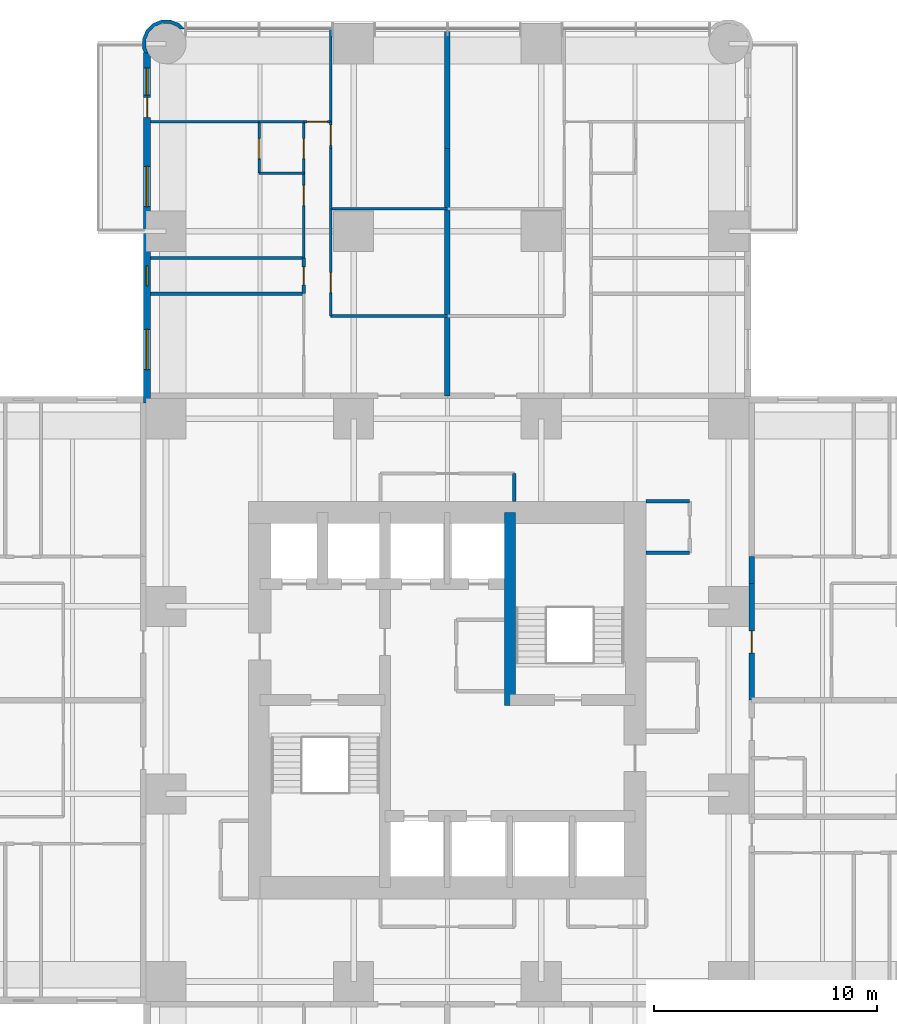
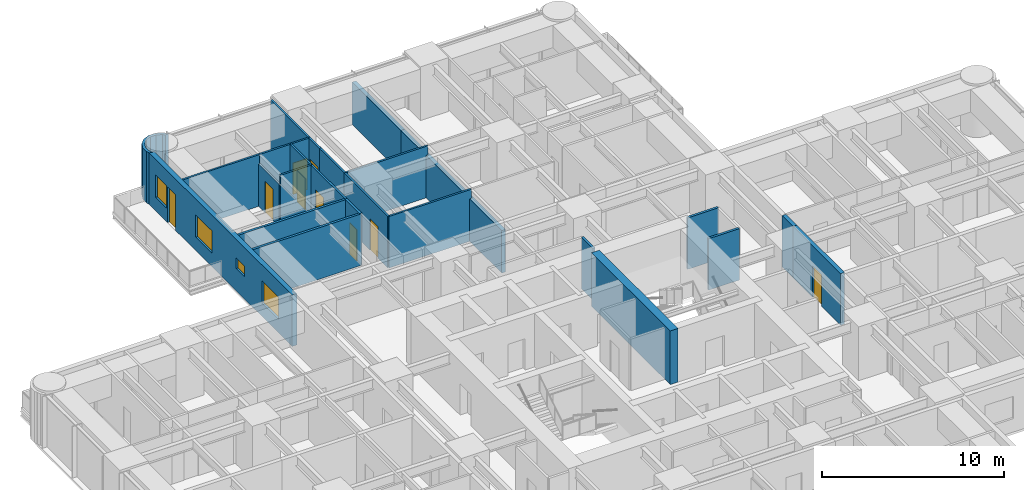
# One storey, part 13 of 17: 28 walls, 9 doors, 4 windows, 13 openings.
"""IFC4 building model written with IfcOpenShell, lengths in metres."""

from ifc_helpers import new_model, si_unit, direction, frame, frame_2d, origin, place, context, subcontext, project, spatial, polyline, rectangle, outline, extrude, material, layer, layer_set, type_object, element, fill, save


model = new_model("IFC4")

# Units and contexts
model_context = context("Model", 3, precision=1e-05, world=origin(), true_north=direction((0.0, 1.0)))
body_context = subcontext(model_context, "Body", "Model", "MODEL_VIEW")
ifc_project = project(units=[si_unit("LENGTHUNIT", "METRE"), si_unit("AREAUNIT", "SQUARE_METRE"), si_unit("VOLUMEUNIT", "CUBIC_METRE"), si_unit("PLANEANGLEUNIT", "RADIAN"), si_unit("MASSUNIT", "GRAM", prefix="KILO")], contexts=[model_context])

# Site, building, storey
site_placement = place(None, origin())
site = spatial("IfcSite", under=ifc_project, at=site_placement, CompositionType="ELEMENT")
building_placement = place(site_placement, origin())
building = spatial("IfcBuilding", under=site, at=building_placement, Name="Torre Alcanfor", CompositionType="ELEMENT")
storey_placement = place(building_placement, frame((0.0, 0.0, 56.10009765625)))
storey = spatial("IfcBuildingStorey", under=building, at=storey_placement, Name="L13", CompositionType="ELEMENT", Elevation=56.10009765625)

# Wall, opening, door
ifc_material_1 = material(Name="Concrete block masonry, hollow blocks NMX-C-404 9 MPa", Category="masonry")
ifc_layer_1 = layer(ifc_material_1, 0.25)
ifc_layer_set_1 = layer_set([ifc_layer_1], Name="Apartment entrance wall 250 EI 60")
wall_type_1 = type_object("IfcWallType", Name="Apartment entrance wall 250 EI 60", PredefinedType="PARTITIONING", material=ifc_layer_set_1)
wall_1_placement = place(storey_placement, frame((43.02490234375, 34.62890625, 0.0), z_axis=(0.0, 0.0, 1.0), x_axis=(0.0, -1.0, 0.0)))
wall_1 = element("IfcWall", 1, at=wall_1_placement, inside=storey, type_object=wall_type_1, Name="Partition L13-CORR / L13-E1-ZAG", PredefinedType="PARTITIONING", context=body_context, shape_type="SweptSolid", body=[
    extrude(rectangle(XDim=5.22900390625, YDim=0.25, at=frame_2d((2.614501953125, 0.0))), origin(), (0.0, 0.0, 1.0), 3.449951171875),
])
opening_1_placement = place(wall_1_placement, frame((2.12890625, 0.0, 0.0)))
opening_1 = element("IfcOpeningElement", 2, at=opening_1_placement, cuts=wall_1, Name="Opening D-A1", PredefinedType="OPENING", context=body_context, shape_type="SweptSolid", body=[
    extrude(rectangle(XDim=1.0, YDim=2.10009765625, at=frame_2d((0.5, 1.050048828125))), frame((0.0, 0.135009765625, 0.0), z_axis=(0.0, -1.0, 0.0), x_axis=(1.0, 0.0, 0.0)), (0.0, 0.0, 1.0), 0.27001953125),
])
ifc_material_2 = material(Name="Galvanised steel sheet ASTM A653", Category="steel")
door_type_1 = type_object("IfcDoorType", Name="Apartment entrance door FD60 1000x2100", OperationType="SINGLE_SWING_LEFT", PredefinedType="DOOR", material=ifc_material_2)
door_1_placement = place(opening_1_placement, origin())
door_1 = element("IfcDoor", 3, at=door_1_placement, inside=storey, type_object=door_type_1, Name="Apartment entrance L13-E1", OperationType="SINGLE_SWING_RIGHT", OverallHeight=2.10009765625, OverallWidth=1.0, PredefinedType="DOOR", context=body_context, shape_type="SweptSolid", body=[
    extrude(rectangle(XDim=1.0, YDim=2.10009765625, at=frame_2d((0.5, 1.050048828125))), frame((0.0, 0.02490234375, 0.0), z_axis=(0.0, -1.0, 0.0), x_axis=(1.0, 0.0, 0.0)), (0.0, 0.0, 1.0), 0.050048828125),
])
fill(opening_1, door_1)

# Walls
wall_2_placement = place(storey_placement, frame((43.02490234375, 35.8291015625, 0.0), z_axis=(0.0, 0.0, 1.0), x_axis=(0.0, -1.0, 0.0)))
element("IfcWall", 4, at=wall_2_placement, inside=storey, type_object=wall_type_1, Name="Partition L13-CORR / L13-E1-HALL", PredefinedType="PARTITIONING", context=body_context, shape_type="SweptSolid", body=[
    extrude(rectangle(XDim=1.2001953125, YDim=0.25, at=frame_2d((0.60009765625, 0.0))), origin(), (0.0, 0.0, 1.0), 3.449951171875),
])
ifc_material_3 = material(Name="Gypsum board on steel studs", Category="steel")
ifc_layer_2 = layer(ifc_material_3, 0.1201171875)
ifc_layer_set_2 = layer_set([ifc_layer_2], Name="Apartment partition 120")
wall_type_2 = type_object("IfcWallType", Name="Apartment partition 120", PredefinedType="PARTITIONING", material=ifc_layer_set_2)
for number, where, z_axis, x_axis, name in (
    (5, (29.39990234375, 46.60009765625, 0.0), (0.0, 0.0, 1.0), (-1.0, 0.0, 0.0), "Partition L13-N1-ZAG / L13-N1-FAMILY"),
    (6, (29.39990234375, 51.39990234375, 0.0), (0.0, 0.0, 1.0), (-1.0, 0.0, 0.0), "Partition L13-N1-FAMILY / L13-N1-KITCHEN"),
):
    element("IfcWall", number, at=place(storey_placement, frame(where, z_axis=z_axis, x_axis=x_axis)), inside=storey, type_object=wall_type_2, Name=name, PredefinedType="PARTITIONING", context=body_context, shape_type="SweptSolid", body=[
        extrude(rectangle(XDim=5.22900390625, YDim=0.1201171875, at=frame_2d((2.614501953125, 0.0))), origin(), (0.0, 0.0, 1.0), 3.449951171875),
    ])

# Wall, opening, door
wall_3_placement = place(storey_placement, frame((24.1708984375, 51.39990234375, 0.0), z_axis=(0.0, 0.0, 1.0), x_axis=(0.0, -1.0, 0.0)))
wall_3 = element("IfcWall", 7, at=wall_3_placement, inside=storey, type_object=wall_type_2, Name="Partition L13-N1-FAMILY / L13-N1-HALL", PredefinedType="PARTITIONING", context=body_context, shape_type="SweptSolid", body=[
    extrude(rectangle(XDim=4.7998046875, YDim=0.1201171875, at=frame_2d((2.39990234375, 0.0))), origin(), (0.0, 0.0, 1.0), 3.449951171875),
])
opening_2_placement = place(wall_3_placement, frame((2.85009765625, 0.0, 0.0)))
opening_2 = element("IfcOpeningElement", 8, at=opening_2_placement, cuts=wall_3, Name="Opening D-R1", PredefinedType="OPENING", context=body_context, shape_type="SweptSolid", body=[
    extrude(rectangle(XDim=0.89990234375, YDim=2.10009765625, at=frame_2d((0.449951171875, 1.050048828125))), frame((0.0, 0.070068359375, 0.0), z_axis=(0.0, -1.0, 0.0), x_axis=(1.0, 0.0, 0.0)), (0.0, 0.0, 1.0), 0.14013671875),
])
ifc_material_4 = material(Name="Timber", Category="wood")
door_type_2 = type_object("IfcDoorType", Name="Internal door 900x2100", OperationType="SINGLE_SWING_LEFT", PredefinedType="DOOR", material=ifc_material_4)
door_2_placement = place(opening_2_placement, origin())
door_2 = element("IfcDoor", 9, at=door_2_placement, inside=storey, type_object=door_type_2, Name="Door L13-N1 family", OperationType="SINGLE_SWING_RIGHT", OverallHeight=2.10009765625, OverallWidth=0.89990234375, PredefinedType="DOOR", context=body_context, shape_type="SweptSolid", body=[
    extrude(rectangle(XDim=0.89990234375, YDim=2.10009765625, at=frame_2d((0.449951171875, 1.050048828125))), frame((0.0, 0.02490234375, 0.0), z_axis=(0.0, -1.0, 0.0), x_axis=(1.0, 0.0, 0.0)), (0.0, 0.0, 1.0), 0.050048828125),
])
fill(opening_2, door_2)

# Wall
wall_4_placement = place(storey_placement, frame((24.1708984375, 54.10009765625, 0.0), z_axis=(0.0, 0.0, 1.0), x_axis=(0.0, -1.0, 0.0)))
element("IfcWall", 10, at=wall_4_placement, inside=storey, type_object=wall_type_2, Name="Partition L13-N1-KITCHEN / L13-N1-HALL", PredefinedType="PARTITIONING", context=body_context, shape_type="SweptSolid", body=[
    extrude(rectangle(XDim=2.7001953125, YDim=0.1201171875, at=frame_2d((1.35009765625, 0.0))), origin(), (0.0, 0.0, 1.0), 3.449951171875),
])

# Wall, opening, door
wall_5_placement = place(storey_placement, frame((24.1708984375, 55.300048828125, 0.0), z_axis=(0.0, 0.0, 1.0), x_axis=(0.0, -1.0, 0.0)))
wall_5 = element("IfcWall", 11, at=wall_5_placement, inside=storey, type_object=wall_type_2, Name="Partition L13-N1-LIVING / L13-N1-HALL", PredefinedType="PARTITIONING", context=body_context, shape_type="SweptSolid", body=[
    extrude(rectangle(XDim=1.199951171875, YDim=0.1201171875, at=frame_2d((0.60009765625, 0.0))), origin(), (0.0, 0.0, 1.0), 3.449951171875),
])
opening_3_placement = place(wall_5_placement, frame((0.14990234375, 0.0, 0.0)))
opening_3 = element("IfcOpeningElement", 12, at=opening_3_placement, cuts=wall_5, Name="Opening D-R1", PredefinedType="OPENING", context=body_context, shape_type="SweptSolid", body=[
    extrude(rectangle(XDim=0.89990234375, YDim=2.10009765625, at=frame_2d((0.449951171875, 1.050048828125))), frame((0.0, 0.070068359375, 0.0), z_axis=(0.0, -1.0, 0.0), x_axis=(1.0, 0.0, 0.0)), (0.0, 0.0, 1.0), 0.14013671875),
])
door_3_placement = place(opening_3_placement, origin())
door_3 = element("IfcDoor", 13, at=door_3_placement, inside=storey, type_object=door_type_2, Name="Door L13-N1 living", OperationType="SINGLE_SWING_RIGHT", OverallHeight=2.10009765625, OverallWidth=0.89990234375, PredefinedType="DOOR", context=body_context, shape_type="SweptSolid", body=[
    extrude(rectangle(XDim=0.89990234375, YDim=2.10009765625, at=frame_2d((0.449951171875, 1.050048828125))), frame((0.0, 0.02490234375, 0.0), z_axis=(0.0, -1.0, 0.0), x_axis=(1.0, 0.0, 0.0)), (0.0, 0.0, 1.0), 0.050048828125),
])
fill(opening_3, door_3)

# Wall
wall_6_placement = place(storey_placement, frame((24.1708984375, 59.449951171875, 0.0), z_axis=(0.0, 0.0, 1.0), x_axis=(0.0, -1.0, 0.0)))
element("IfcWall", 14, at=wall_6_placement, inside=storey, type_object=wall_type_2, Name="Partition L13-N1-LIVING / L13-N1-WGARD", PredefinedType="PARTITIONING", context=body_context, shape_type="SweptSolid", body=[
    extrude(rectangle(XDim=4.14990234375, YDim=0.1201171875, at=frame_2d((2.074951171875, 0.0))), origin(), (0.0, 0.0, 1.0), 3.449951171875),
])

# Wall, opening, door
wall_7_placement = place(storey_placement, frame((22.970947265625, 53.0, 0.0), z_axis=(0.0, 0.0, 1.0), x_axis=(0.0, -1.0, 0.0)))
wall_7 = element("IfcWall", 15, at=wall_7_placement, inside=storey, type_object=wall_type_2, Name="Partition L13-N1-HALL / L13-N1-MASTER", PredefinedType="PARTITIONING", context=body_context, shape_type="SweptSolid", body=[
    extrude(rectangle(XDim=3.800048828125, YDim=0.1201171875, at=frame_2d((1.89990234375, 0.0))), origin(), (0.0, 0.0, 1.0), 3.449951171875),
])
opening_4_placement = place(wall_7_placement, frame((0.550048828125, 0.0, 0.0)))
opening_4 = element("IfcOpeningElement", 16, at=opening_4_placement, cuts=wall_7, Name="Opening D-R1", PredefinedType="OPENING", context=body_context, shape_type="SweptSolid", body=[
    extrude(rectangle(XDim=0.89990234375, YDim=2.10009765625, at=frame_2d((0.449951171875, 1.050048828125))), frame((0.0, 0.070068359375, 0.0), z_axis=(0.0, -1.0, 0.0), x_axis=(1.0, 0.0, 0.0)), (0.0, 0.0, 1.0), 0.14013671875),
])
door_4_placement = place(opening_4_placement, frame((0.89990234375, 0.0, 0.0), z_axis=(0.0, 0.0, 1.0), x_axis=(-1.0, 0.0, 0.0)))
door_4 = element("IfcDoor", 17, at=door_4_placement, inside=storey, type_object=door_type_2, Name="Door L13-N1 master", OperationType="SINGLE_SWING_RIGHT", OverallHeight=2.10009765625, OverallWidth=0.89990234375, PredefinedType="DOOR", context=body_context, shape_type="SweptSolid", body=[
    extrude(rectangle(XDim=0.89990234375, YDim=2.10009765625, at=frame_2d((0.449951171875, 1.050048828125))), frame((0.0, 0.025146484375, 0.0), z_axis=(0.0, -1.0, 0.0), x_axis=(1.0, 0.0, 0.0)), (0.0, 0.0, 1.0), 0.050048828125),
])
fill(opening_4, door_4)

wall_8_placement = place(storey_placement, frame((22.970947265625, 55.300048828125, 0.0), z_axis=(0.0, 0.0, 1.0), x_axis=(0.0, -1.0, 0.0)))
wall_8 = element("IfcWall", 18, at=wall_8_placement, inside=storey, type_object=wall_type_2, Name="Partition L13-N1-HALL / L13-N1-VEST", PredefinedType="PARTITIONING", context=body_context, shape_type="SweptSolid", body=[
    extrude(rectangle(XDim=2.300048828125, YDim=0.1201171875, at=frame_2d((1.14990234375, 0.0))), origin(), (0.0, 0.0, 1.0), 3.449951171875),
])
opening_5_placement = place(wall_8_placement, frame((0.75, 0.0, 0.0)))
opening_5 = element("IfcOpeningElement", 19, at=opening_5_placement, cuts=wall_8, Name="Opening D-R1", PredefinedType="OPENING", context=body_context, shape_type="SweptSolid", body=[
    extrude(rectangle(XDim=0.89990234375, YDim=2.10009765625, at=frame_2d((0.449951171875, 1.050048828125))), frame((0.0, 0.070068359375, 0.0), z_axis=(0.0, -1.0, 0.0), x_axis=(1.0, 0.0, 0.0)), (0.0, 0.0, 1.0), 0.14013671875),
])
door_5_placement = place(opening_5_placement, frame((0.89990234375, 0.0, 0.0), z_axis=(0.0, 0.0, 1.0), x_axis=(-1.0, 0.0, 0.0)))
door_5 = element("IfcDoor", 20, at=door_5_placement, inside=storey, type_object=door_type_2, Name="Door L13-N1 vest", OperationType="SINGLE_SWING_LEFT", OverallHeight=2.10009765625, OverallWidth=0.89990234375, PredefinedType="DOOR", context=body_context, shape_type="SweptSolid", body=[
    extrude(rectangle(XDim=0.89990234375, YDim=2.10009765625, at=frame_2d((0.449951171875, 1.050048828125))), frame((0.0, 0.025146484375, 0.0), z_axis=(0.0, -1.0, 0.0), x_axis=(1.0, 0.0, 0.0)), (0.0, 0.0, 1.0), 0.050048828125),
])
fill(opening_5, door_5)

wall_9_placement = place(storey_placement, frame((24.1708984375, 55.300048828125, 0.0), z_axis=(0.0, 0.0, 1.0), x_axis=(-1.0, 0.0, 0.0)))
wall_9 = element("IfcWall", 21, at=wall_9_placement, inside=storey, type_object=wall_type_2, Name="Partition L13-N1-HALL / L13-N1-WGARD", PredefinedType="PARTITIONING", context=body_context, shape_type="SweptSolid", body=[
    extrude(rectangle(XDim=1.199951171875, YDim=0.1201171875, at=frame_2d((0.60009765625, 0.0))), origin(), (0.0, 0.0, 1.0), 3.449951171875),
])
opening_6_placement = place(wall_9_placement, frame((0.15087890625, 0.0, 0.0)))
opening_6 = element("IfcOpeningElement", 22, at=opening_6_placement, cuts=wall_9, Name="Opening D-R1", PredefinedType="OPENING", context=body_context, shape_type="SweptSolid", body=[
    extrude(rectangle(XDim=0.89990234375, YDim=2.10009765625, at=frame_2d((0.449951171875, 1.050048828125))), frame((0.0, 0.070068359375, 0.0), z_axis=(0.0, -1.0, 0.0), x_axis=(1.0, 0.0, 0.0)), (0.0, 0.0, 1.0), 0.14013671875),
])
door_6_placement = place(opening_6_placement, frame((0.89990234375, 0.0, 0.0), z_axis=(0.0, 0.0, 1.0), x_axis=(-1.0, 0.0, 0.0)))
door_6 = element("IfcDoor", 23, at=door_6_placement, inside=storey, type_object=door_type_2, Name="Door L13-N1 wgard", OperationType="SINGLE_SWING_RIGHT", OverallHeight=2.10009765625, OverallWidth=0.89990234375, PredefinedType="DOOR", context=body_context, shape_type="SweptSolid", body=[
    extrude(rectangle(XDim=0.89990234375, YDim=2.10009765625, at=frame_2d((0.449951171875, 1.050048828125))), frame((0.0, 0.025146484375, 0.0), z_axis=(0.0, -1.0, 0.0), x_axis=(1.0, 0.0, 0.0)), (0.0, 0.0, 1.0), 0.050048828125),
])
fill(opening_6, door_6)

wall_10_placement = place(storey_placement, frame((20.970947265625, 55.300048828125, 0.0), z_axis=(0.0, 0.0, 1.0), x_axis=(0.0, -1.0, 0.0)))
wall_10 = element("IfcWall", 24, at=wall_10_placement, inside=storey, type_object=wall_type_2, Name="Partition L13-N1-MASTER / L13-N1-VEST", PredefinedType="PARTITIONING", context=body_context, shape_type="SweptSolid", body=[
    extrude(rectangle(XDim=2.300048828125, YDim=0.1201171875, at=frame_2d((1.14990234375, 0.0))), origin(), (0.0, 0.0, 1.0), 2.847900390625),
])
opening_7_placement = place(wall_10_placement, frame((0.75, 0.0, 0.0)))
opening_7 = element("IfcOpeningElement", 25, at=opening_7_placement, cuts=wall_10, Name="Opening D-R1", PredefinedType="OPENING", context=body_context, shape_type="SweptSolid", body=[
    extrude(rectangle(XDim=0.89990234375, YDim=2.10009765625, at=frame_2d((0.449951171875, 1.050048828125))), frame((0.0, 0.070068359375, 0.0), z_axis=(0.0, -1.0, 0.0), x_axis=(1.0, 0.0, 0.0)), (0.0, 0.0, 1.0), 0.14013671875),
])
door_7_placement = place(opening_7_placement, origin())
door_7 = element("IfcDoor", 26, at=door_7_placement, inside=storey, type_object=door_type_2, Name="Door L13-N1 master", OperationType="SINGLE_SWING_RIGHT", OverallHeight=2.10009765625, OverallWidth=0.89990234375, PredefinedType="DOOR", context=body_context, shape_type="SweptSolid", body=[
    extrude(rectangle(XDim=0.89990234375, YDim=2.10009765625, at=frame_2d((0.449951171875, 1.050048828125))), frame((0.0, 0.02490234375, 0.0), z_axis=(0.0, -1.0, 0.0), x_axis=(1.0, 0.0, 0.0)), (0.0, 0.0, 1.0), 0.050048828125),
])
fill(opening_7, door_7)

# Walls
wall_11_placement = place(storey_placement, frame((20.970947265625, 53.0, 0.0), z_axis=(0.0, 0.0, 1.0), x_axis=(1.0, 0.0, 0.0)))
element("IfcWall", 27, at=wall_11_placement, inside=storey, type_object=wall_type_2, Name="Partition L13-N1-MASTER / L13-N1-VEST", PredefinedType="PARTITIONING", context=body_context, shape_type="SweptSolid", body=[
    extrude(rectangle(XDim=2.0, YDim=0.1201171875, at=frame_2d((1.0, 0.0))), origin(), (0.0, 0.0, 1.0), 3.449951171875),
])
wall_12_placement = place(storey_placement, frame((16.10009765625, 55.300048828125, 0.0), z_axis=(0.0, 0.0, 1.0), x_axis=(1.0, 0.0, 0.0)))
element("IfcWall", 28, at=wall_12_placement, inside=storey, type_object=wall_type_2, Name="Partition L13-N1-MASTER / L13-N1-WGARD", PredefinedType="PARTITIONING", context=body_context, shape_type="SweptSolid", body=[
    extrude(rectangle(XDim=4.870849609375, YDim=0.1201171875, at=frame_2d((2.435546875, 0.0))), origin(), (0.0, 0.0, 1.0), 3.449951171875),
])
wall_13_placement = place(storey_placement, frame((22.970947265625, 55.300048828125, 0.0), z_axis=(0.0, 0.0, 1.0), x_axis=(-1.0, 0.0, 0.0)))
element("IfcWall", 29, at=wall_13_placement, inside=storey, type_object=wall_type_2, Name="Partition L13-N1-VEST / L13-N1-WGARD", PredefinedType="PARTITIONING", context=body_context, shape_type="SweptSolid", body=[
    extrude(rectangle(XDim=2.0, YDim=0.1201171875, at=frame_2d((1.0, 0.0))), origin(), (0.0, 0.0, 1.0), 3.449951171875),
])
ifc_material_5 = material(Name="Concrete f'c 70 MPa", Category="concrete")
ifc_layer_3 = layer(ifc_material_5, 0.5)
ifc_layer_set_3 = layer_set([ifc_layer_3], Name="Core inner wall 500 f'c70")
wall_type_3 = type_object("IfcWallType", Name="Core inner wall 500 f'c70", PredefinedType="SHEAR", material=ifc_layer_set_3)
wall_14_placement = place(storey_placement, frame((32.199951171875, 29.14990234375, 0.0), z_axis=(0.0, 0.0, 1.0), x_axis=(0.0, 1.0, 0.0)))
element("IfcWall", 30, at=wall_14_placement, inside=storey, type_object=wall_type_3, Name="Core wall X322N L13", PredefinedType="SHEAR", context=body_context, shape_type="SweptSolid", body=[
    extrude(rectangle(XDim=8.650146484375, YDim=0.5, at=frame_2d((4.3251953125, 0.0))), origin(), (0.0, 0.0, 1.0), 3.599853515625),
])

# Wall, openings, door, windows
ifc_material_6 = material(Name="Limestone cladding", Category="masonry")
ifc_layer_4 = layer(ifc_material_6, 0.0400390625, Name="Facing")
ifc_material_7 = material(Name="Ventilated air cavity")
ifc_layer_5 = layer(ifc_material_7, 0.02001953125, ventilated=True, Name="Ventilated joint")
ifc_material_8 = material(Name="Mineral wool insulation", Category="insulation")
ifc_layer_6 = layer(ifc_material_8, 0.10009765625, Name="Insulation")
ifc_material_9 = material(Name="Concrete f'c 35 MPa", Category="concrete")
ifc_layer_7 = layer(ifc_material_9, 0.139892578125, Name="Backing")
ifc_layer_set_4 = layer_set([ifc_layer_4, ifc_layer_5, ifc_layer_6, ifc_layer_7], Name="External wall stone-clad 300")
wall_type_4 = type_object("IfcWallType", Name="External wall stone-clad 300", PredefinedType="SOLIDWALL", material=ifc_layer_set_4)
wall_15_placement = place(storey_placement, frame((15.949951171875, 58.39990234375, 0.0), z_axis=(0.0, 0.0, 1.0), x_axis=(0.0, -1.0, 0.0)))
wall_15 = element("IfcWall", 31, at=wall_15_placement, inside=storey, type_object=wall_type_4, Name="External wall L13 12", PredefinedType="SOLIDWALL", context=body_context, shape_type="SweptSolid", body=[
    extrude(rectangle(XDim=15.699951171875, YDim=0.300048828125, at=frame_2d((7.85009765625, 0.0))), origin(), (0.0, 0.0, 1.0), 3.449951171875),
])
opening_8_placement = place(wall_15_placement, frame((12.39990234375, 0.0, 0.89990234375)))
opening_8 = element("IfcOpeningElement", 32, at=opening_8_placement, cuts=wall_15, Name="Opening W2", PredefinedType="OPENING", context=body_context, shape_type="SweptSolid", body=[
    extrude(rectangle(XDim=1.800048828125, YDim=1.5, at=frame_2d((0.89990234375, 0.75))), frame((0.0, 0.159912109375, 0.0), z_axis=(0.0, -1.0, 0.0), x_axis=(1.0, 0.0, 0.0)), (0.0, 0.0, 1.0), 0.320068359375),
])
opening_9_placement = place(wall_15_placement, frame((9.550048828125, 0.0, 1.5)))
opening_9 = element("IfcOpeningElement", 33, at=opening_9_placement, cuts=wall_15, Name="Opening W3", PredefinedType="OPENING", context=body_context, shape_type="SweptSolid", body=[
    extrude(rectangle(XDim=0.89990234375, YDim=0.699951171875, at=frame_2d((0.449951171875, 0.35009765625))), frame((0.0, 0.159912109375, 0.0), z_axis=(0.0, -1.0, 0.0), x_axis=(1.0, 0.0, 0.0)), (0.0, 0.0, 1.0), 0.320068359375),
])
opening_10_placement = place(wall_15_placement, frame((5.10009765625, 0.0, 0.89990234375)))
opening_10 = element("IfcOpeningElement", 34, at=opening_10_placement, cuts=wall_15, Name="Opening W2", PredefinedType="OPENING", context=body_context, shape_type="SweptSolid", body=[
    extrude(rectangle(XDim=1.800048828125, YDim=1.5, at=frame_2d((0.89990234375, 0.75))), frame((0.0, 0.159912109375, 0.0), z_axis=(0.0, -1.0, 0.0), x_axis=(1.0, 0.0, 0.0)), (0.0, 0.0, 1.0), 0.320068359375),
])
opening_11_placement = place(wall_15_placement, frame((2.0, 0.0, 0.0)))
opening_11 = element("IfcOpeningElement", 35, at=opening_11_placement, cuts=wall_15, Name="Opening D-B1", PredefinedType="OPENING", context=body_context, shape_type="SweptSolid", body=[
    extrude(rectangle(XDim=0.89990234375, YDim=2.39990234375, at=frame_2d((0.449951171875, 1.199951171875))), frame((0.0, 0.159912109375, 0.0), z_axis=(0.0, -1.0, 0.0), x_axis=(1.0, 0.0, 0.0)), (0.0, 0.0, 1.0), 0.320068359375),
])
opening_12_placement = place(wall_15_placement, frame((0.699951171875, 0.0, 0.89990234375)))
opening_12 = element("IfcOpeningElement", 36, at=opening_12_placement, cuts=wall_15, Name="Opening W4", PredefinedType="OPENING", context=body_context, shape_type="SweptSolid", body=[
    extrude(rectangle(XDim=1.199951171875, YDim=1.5, at=frame_2d((0.60009765625, 0.75))), frame((0.0, 0.159912109375, 0.0), z_axis=(0.0, -1.0, 0.0), x_axis=(1.0, 0.0, 0.0)), (0.0, 0.0, 1.0), 0.320068359375),
])
ifc_material_10 = material(Name="Aluminium and glass", Category="aluminium")
door_type_3 = type_object("IfcDoorType", Name="Balcony door glazed 900x2400", OperationType="SINGLE_SWING_LEFT", PredefinedType="DOOR", material=ifc_material_10)
door_8_placement = place(opening_11_placement, origin())
door_8 = element("IfcDoor", 37, at=door_8_placement, inside=storey, type_object=door_type_3, Name="Balcony door L13-N1", OperationType="SINGLE_SWING_RIGHT", OverallHeight=2.39990234375, OverallWidth=0.89990234375, PredefinedType="DOOR", context=body_context, shape_type="SweptSolid", body=[
    extrude(rectangle(XDim=0.89990234375, YDim=2.39990234375, at=frame_2d((0.449951171875, 1.199951171875))), frame((0.0, 0.02490234375, 0.0), z_axis=(0.0, -1.0, 0.0), x_axis=(1.0, 0.0, 0.0)), (0.0, 0.0, 1.0), 0.050048828125),
])
fill(opening_11, door_8)
ifc_material_11 = material(Name="Aluminium frame with clear double glazing", Category="aluminium")
window_type_1 = type_object("IfcWindowType", Name="Window bathroom 900x700", PartitioningType="SINGLE_PANEL", PredefinedType="WINDOW", material=ifc_material_11)
window_1_placement = place(opening_9_placement, origin())
window_1 = element("IfcWindow", 38, at=window_1_placement, inside=storey, type_object=window_type_1, Name="Window W3 L13-N1", OverallHeight=0.699951171875, OverallWidth=0.89990234375, PartitioningType="SINGLE_PANEL", PredefinedType="WINDOW", context=body_context, shape_type="SweptSolid", body=[
    extrude(rectangle(XDim=0.89990234375, YDim=0.699951171875, at=frame_2d((0.449951171875, 0.35009765625))), frame((0.0, 0.030029296875, 0.0), z_axis=(0.0, -1.0, 0.0), x_axis=(1.0, 0.0, 0.0)), (0.0, 0.0, 1.0), 0.06005859375),
])
fill(opening_9, window_1)
ifc_material_12 = material(Name="Aluminium frame with clear double glazing", Category="aluminium")
window_type_2 = type_object("IfcWindowType", Name="Window bedroom 1200x1500", PartitioningType="SINGLE_PANEL", PredefinedType="WINDOW", material=ifc_material_12)
window_2_placement = place(opening_12_placement, origin())
window_2 = element("IfcWindow", 39, at=window_2_placement, inside=storey, type_object=window_type_2, Name="Window W4 L13-N1", OverallHeight=1.5, OverallWidth=1.199951171875, PartitioningType="SINGLE_PANEL", PredefinedType="WINDOW", context=body_context, shape_type="SweptSolid", body=[
    extrude(rectangle(XDim=1.199951171875, YDim=1.5, at=frame_2d((0.60009765625, 0.75))), frame((0.0, 0.030029296875, 0.0), z_axis=(0.0, -1.0, 0.0), x_axis=(1.0, 0.0, 0.0)), (0.0, 0.0, 1.0), 0.06005859375),
])
fill(opening_12, window_2)
ifc_material_13 = material(Name="Aluminium frame with clear double glazing", Category="aluminium")
window_type_3 = type_object("IfcWindowType", Name="Window bedroom 1800x1500", PartitioningType="SINGLE_PANEL", PredefinedType="WINDOW", material=ifc_material_13)
window_3_placement = place(opening_8_placement, origin())
window_3 = element("IfcWindow", 40, at=window_3_placement, inside=storey, type_object=window_type_3, Name="Window W2 L13-N1", OverallHeight=1.5, OverallWidth=1.800048828125, PartitioningType="SINGLE_PANEL", PredefinedType="WINDOW", context=body_context, shape_type="SweptSolid", body=[
    extrude(rectangle(XDim=1.800048828125, YDim=1.5, at=frame_2d((0.89990234375, 0.75))), frame((0.0, 0.030029296875, 0.0), z_axis=(0.0, -1.0, 0.0), x_axis=(1.0, 0.0, 0.0)), (0.0, 0.0, 1.0), 0.06005859375),
])
fill(opening_8, window_3)
window_4_placement = place(opening_10_placement, origin())
window_4 = element("IfcWindow", 41, at=window_4_placement, inside=storey, type_object=window_type_3, Name="Window W2 L13-N1", OverallHeight=1.5, OverallWidth=1.800048828125, PartitioningType="SINGLE_PANEL", PredefinedType="WINDOW", context=body_context, shape_type="SweptSolid", body=[
    extrude(rectangle(XDim=1.800048828125, YDim=1.5, at=frame_2d((0.89990234375, 0.75))), frame((0.0, 0.030029296875, 0.0), z_axis=(0.0, -1.0, 0.0), x_axis=(1.0, 0.0, 0.0)), (0.0, 0.0, 1.0), 0.06005859375),
])
fill(opening_10, window_4)

# Walls
ifc_material_14 = material(Name="Concrete block masonry, hollow blocks NMX-C-404 9 MPa", Category="masonry")
ifc_layer_8 = layer(ifc_material_14, 0.25)
ifc_layer_set_5 = layer_set([ifc_layer_8], Name="Party wall 250 EI 60")
wall_type_5 = type_object("IfcWallType", Name="Party wall 250 EI 60", PredefinedType="PARTITIONING", material=ifc_layer_set_5)
wall_16_placement = place(storey_placement, frame((29.39990234375, 43.02490234375, 0.0), z_axis=(0.0, 0.0, 1.0), x_axis=(0.0, 1.0, 0.0)))
element("IfcWall", 42, at=wall_16_placement, inside=storey, type_object=wall_type_5, Name="Partition L13-N1-ZAG / L13-N2-ZAG", PredefinedType="PARTITIONING", context=body_context, shape_type="SweptSolid", body=[
    extrude(rectangle(XDim=3.5751953125, YDim=0.25, at=frame_2d((1.78759765625, 0.0))), origin(), (0.0, 0.0, 1.0), 2.847900390625),
])
wall_17_placement = place(storey_placement, frame((29.39990234375, 46.60009765625, 0.0), z_axis=(0.0, 0.0, 1.0), x_axis=(0.0, 1.0, 0.0)))
element("IfcWall", 43, at=wall_17_placement, inside=storey, type_object=wall_type_5, Name="Partition L13-N1-FAMILY / L13-N2-FAMILY", PredefinedType="PARTITIONING", context=body_context, shape_type="SweptSolid", body=[
    extrude(rectangle(XDim=4.7998046875, YDim=0.25, at=frame_2d((2.39990234375, 0.0))), origin(), (0.0, 0.0, 1.0), 2.847900390625),
])
wall_18_placement = place(storey_placement, frame((29.39990234375, 51.39990234375, 0.0), z_axis=(0.0, 0.0, 1.0), x_axis=(0.0, 1.0, 0.0)))
element("IfcWall", 44, at=wall_18_placement, inside=storey, type_object=wall_type_5, Name="Partition L13-N1-KITCHEN / L13-N2-KITCHEN", PredefinedType="PARTITIONING", context=body_context, shape_type="SweptSolid", body=[
    extrude(rectangle(XDim=2.7001953125, YDim=0.25, at=frame_2d((1.35009765625, 0.0))), origin(), (0.0, 0.0, 1.0), 2.847900390625),
])
wall_19_placement = place(storey_placement, frame((29.39990234375, 54.10009765625, 0.0), z_axis=(0.0, 0.0, 1.0), x_axis=(0.0, 1.0, 0.0)))
element("IfcWall", 45, at=wall_19_placement, inside=storey, type_object=wall_type_5, Name="Partition L13-N1-LIVING / L13-N2-LIVING", PredefinedType="PARTITIONING", context=body_context, shape_type="SweptSolid", body=[
    extrude(rectangle(XDim=5.349853515625, YDim=0.25, at=frame_2d((2.6748046875, 0.0))), origin(), (0.0, 0.0, 1.0), 2.847900390625),
])
ifc_material_15 = material(Name="Concrete block masonry, hollow blocks NMX-C-404 9 MPa", Category="masonry")
ifc_layer_9 = layer(ifc_material_15, 0.14990234375)
ifc_layer_set_6 = layer_set([ifc_layer_9], Name="Residents' room partition 150")
wall_type_6 = type_object("IfcWallType", Name="Residents' room partition 150", PredefinedType="PARTITIONING", material=ifc_layer_set_6)
wall_20_placement = place(storey_placement, frame((32.39990234375, 38.300048828125, 0.0), z_axis=(0.0, 0.0, 1.0), x_axis=(0.0, 1.0, 0.0)))
element("IfcWall", 46, at=wall_20_placement, inside=storey, type_object=wall_type_6, Name="Partition L13-CORR / L13-G01", PredefinedType="PARTITIONING", context=body_context, shape_type="SweptSolid", body=[
    extrude(rectangle(XDim=1.25, YDim=0.14990234375, at=frame_2d((0.625, 0.0))), origin(), (0.0, 0.0, 1.0), 3.449951171875),
])
for number, where, z_axis, x_axis, name in (
    (47, (38.300048828125, 36.0, 0.0), (0.0, 0.0, 1.0), (1.0, 0.0, 0.0), "Partition L13-CORR / L13-G03"),
    (48, (40.25, 38.300048828125, 0.0), (0.0, 0.0, 1.0), (-1.0, 0.0, 0.0), "Partition L13-CORR / L13-G03"),
):
    element("IfcWall", number, at=place(storey_placement, frame(where, z_axis=z_axis, x_axis=x_axis)), inside=storey, type_object=wall_type_6, Name=name, PredefinedType="PARTITIONING", context=body_context, shape_type="SweptSolid", body=[
        extrude(rectangle(XDim=1.949951171875, YDim=0.14990234375, at=frame_2d((0.97509765625, 0.0))), origin(), (0.0, 0.0, 1.0), 3.449951171875),
    ])
ifc_layer_10 = layer(ifc_material_6, 0.0400390625, Name="Facing")
ifc_layer_11 = layer(ifc_material_7, 0.02001953125, ventilated=True, Name="Ventilated joint")
ifc_layer_12 = layer(ifc_material_8, 0.10009765625, Name="Insulation")
ifc_layer_13 = layer(ifc_material_9, 0.139892578125, Name="Backing")
ifc_layer_set_7 = layer_set([ifc_layer_10, ifc_layer_11, ifc_layer_12, ifc_layer_13], Name="Rounded corner pier stone-clad 300")
wall_type_7 = type_object("IfcWallType", Name="Rounded corner pier stone-clad 300", PredefinedType="SOLIDWALL", material=ifc_layer_set_7)
wall_21_placement = place(storey_placement, frame((17.56659392, 59.410519256, 0.0), z_axis=(0.0, 0.0, 1.0), x_axis=(-0.377204953059, 0.926129809145, 0.0)))
element("IfcWall", 49, at=wall_21_placement, inside=storey, type_object=wall_type_7, Name="Corner pier L13 20", PredefinedType="SOLIDWALL", context=body_context, shape_type="SweptSolid", body=[
    extrude(outline(polyline([(-0.2696128896034876, 2.017259773730947), (-0.3700074466497617, 1.8406682313445892), (-0.10228391712117135, 1.84234447704578), (0.22963955939869596, 1.7071548112521016), (0.48448400216769655, 1.4552078217286728), (0.623591424193435, 1.1249193736895309), (0.6256953869469392, 0.7663384814459974), (0.4905057211532608, 0.43441500492612994), (0.23855873162983204, 0.17957056215712927), (0.0901868556189969, 0.11689353267829827), (0.010896458992050665, -0.07778365620699182), (0.024462813618203284, -0.08330911938656994), (0.3293875956360306, 0.04530321995417183), (0.4799529344667901, 0.19750641360159463), (0.4990544088845829, 0.19262629437695172), (0.507600976756774, 0.22526044306054033), (0.6260470289213595, 0.34520397592848606), (0.7850882774402169, 0.7356888832512456), (0.7822913942554518, 1.1572920874778148), (0.618751344370654, 1.5460366857348715), (0.3187584973433468, 1.8424700131097647), (-0.07172640997941271, 2.0015112616286217), (-0.24006791291721008, 2.0004813020300714), (-0.2696128896034876, 2.017259773730947)])), origin(), (0.0, 0.0, 1.0), 3.449951171875),
])

# Wall, opening, door
ifc_material_16 = material(Name="Cement board on steel studs", Category="steel")
ifc_layer_14 = layer(ifc_material_16, 0.14990234375)
ifc_layer_set_8 = layer_set([ifc_layer_14], Name="Wet area partition 150")
wall_type_8 = type_object("IfcWallType", Name="Wet area partition 150", PredefinedType="PARTITIONING", material=ifc_layer_set_8)
wall_22_placement = place(storey_placement, frame((22.970947265625, 49.199951171875, 0.0), z_axis=(0.0, 0.0, 1.0), x_axis=(0.0, -1.0, 0.0)))
wall_22 = element("IfcWall", 50, at=wall_22_placement, inside=storey, type_object=wall_type_8, Name="Partition L13-N1-HALL / L13-N1-BATH1", PredefinedType="PARTITIONING", context=body_context, shape_type="SweptSolid", body=[
    extrude(rectangle(XDim=1.599853515625, YDim=0.14990234375, at=frame_2d((0.7998046875, 0.0))), origin(), (0.0, 0.0, 1.0), 3.449951171875),
])
opening_13_placement = place(wall_22_placement, frame((0.39990234375, 0.0, 0.0)))
opening_13 = element("IfcOpeningElement", 51, at=opening_13_placement, cuts=wall_22, Name="Opening D-R2", PredefinedType="OPENING", context=body_context, shape_type="SweptSolid", body=[
    extrude(rectangle(XDim=0.800048828125, YDim=2.10009765625, at=frame_2d((0.39990234375, 1.050048828125))), frame((0.0, 0.0849609375, 0.0), z_axis=(0.0, -1.0, 0.0), x_axis=(1.0, 0.0, 0.0)), (0.0, 0.0, 1.0), 0.169921875),
])
ifc_material_17 = material(Name="Timber", Category="wood")
door_type_4 = type_object("IfcDoorType", Name="Bathroom door 800x2100", OperationType="SINGLE_SWING_LEFT", PredefinedType="DOOR", material=ifc_material_17)
door_9_placement = place(opening_13_placement, frame((0.800048828125, 0.0, 0.0), z_axis=(0.0, 0.0, 1.0), x_axis=(-1.0, 0.0, 0.0)))
door_9 = element("IfcDoor", 52, at=door_9_placement, inside=storey, type_object=door_type_4, Name="Door L13-N1 bath1", OperationType="SINGLE_SWING_RIGHT", OverallHeight=2.10009765625, OverallWidth=0.800048828125, PredefinedType="DOOR", context=body_context, shape_type="SweptSolid", body=[
    extrude(rectangle(XDim=0.800048828125, YDim=2.10009765625, at=frame_2d((0.400146484375, 1.050048828125))), frame((0.0, 0.025146484375, 0.0), z_axis=(0.0, -1.0, 0.0), x_axis=(1.0, 0.0, 0.0)), (0.0, 0.0, 1.0), 0.050048828125),
])
fill(opening_13, door_9)

# Walls
for number, where, z_axis, x_axis, name in (
    (53, (22.970947265625, 47.60009765625, 0.0), (0.0, 0.0, 1.0), (-1.0, 0.0, 0.0), "Partition L13-N1-BED2 / L13-N1-BATH1"),
    (54, (22.970947265625, 49.199951171875, 0.0), (0.0, 0.0, 1.0), (-1.0, 0.0, 0.0), "Partition L13-N1-BATH1 / L13-N1-MASTER"),
):
    element("IfcWall", number, at=place(storey_placement, frame(where, z_axis=z_axis, x_axis=x_axis)), inside=storey, type_object=wall_type_8, Name=name, PredefinedType="PARTITIONING", context=body_context, shape_type="SweptSolid", body=[
        extrude(rectangle(XDim=6.870849609375, YDim=0.14990234375, at=frame_2d((3.435546875, 0.0))), origin(), (0.0, 0.0, 1.0), 3.449951171875),
    ])

save(model, "model.ifc")
